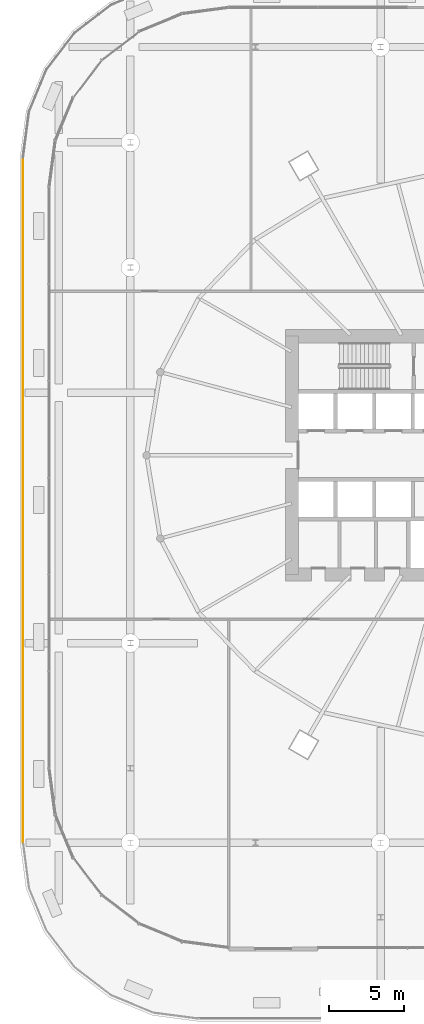
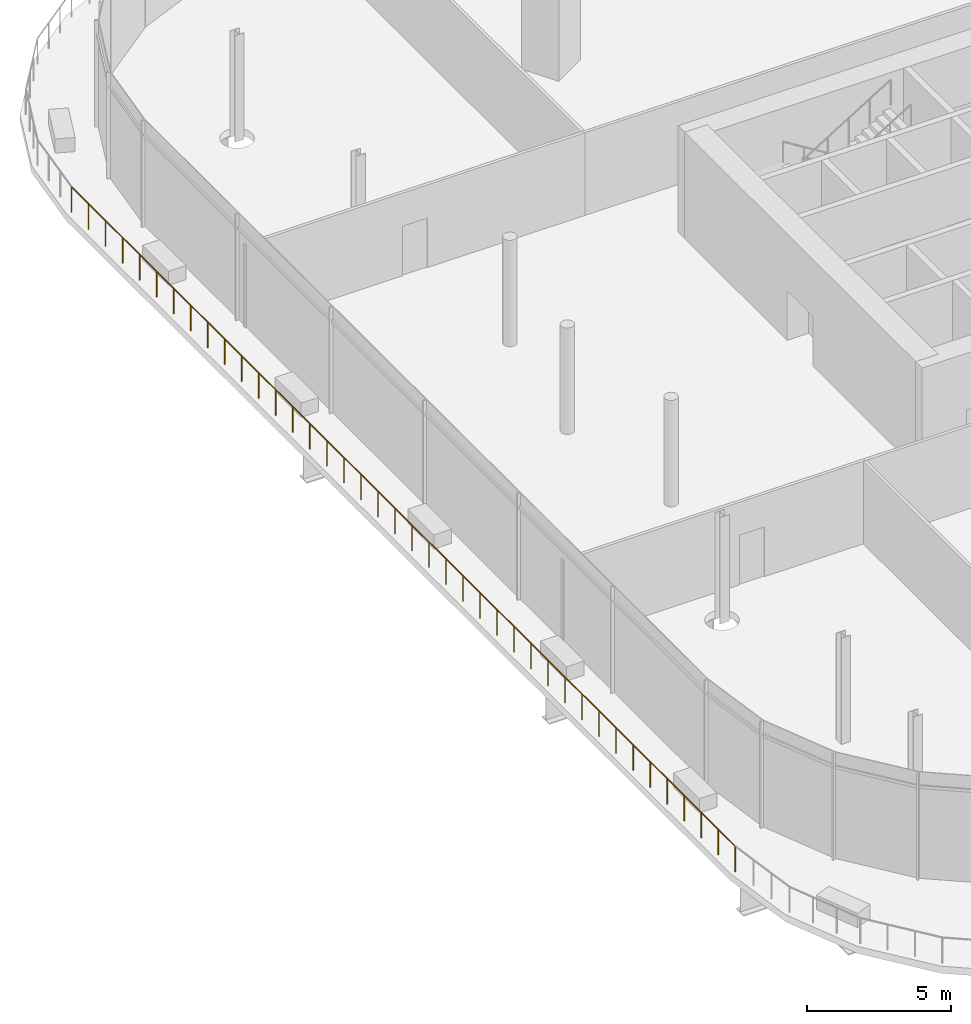
# One storey, part 48 of 56: 1 railing.
"""IFC4 building model written with IfcOpenShell, lengths in metres."""

from ifc_helpers import new_model, si_unit, direction, frame, origin, origin_2d, place, context, subcontext, project, spatial, circle, extrude, material, type_object, element, save


model = new_model("IFC4")

# Units and contexts
model_context = context("Model", 3, precision=1e-05, world=origin(), true_north=direction((0.0, 1.0)))
body_context = subcontext(model_context, "Body", "Model", "MODEL_VIEW")
ifc_project = project(units=[si_unit("LENGTHUNIT", "METRE"), si_unit("AREAUNIT", "SQUARE_METRE"), si_unit("VOLUMEUNIT", "CUBIC_METRE"), si_unit("PLANEANGLEUNIT", "RADIAN"), si_unit("MASSUNIT", "GRAM", prefix="KILO")], contexts=[model_context])

# Site, building, storey
site_placement = place(None, origin())
site = spatial("IfcSite", under=ifc_project, at=site_placement, CompositionType="ELEMENT")
building_placement = place(site_placement, origin())
building = spatial("IfcBuilding", under=site, at=building_placement, Name="Rimbun Link Towers", CompositionType="ELEMENT")
storey_placement = place(building_placement, frame((0.0, 0.0, 16.5)))
storey = spatial("IfcBuildingStorey", under=building, at=storey_placement, Name="L03", CompositionType="ELEMENT", Elevation=16.5)

# Railing
ifc_material = material(Name="Toughened laminated glass, stainless steel grade 316 posts and cap rail", Category="steel")
railing_type = type_object("IfcRailingType", Name="GUARD glass balustrade with stainless cap rail", PredefinedType="BALUSTRADE", material=ifc_material)
railing_placement = place(storey_placement, frame((-61.800048828125, 19.98681640625, 0.0)))
element("IfcRailing", 1, at=railing_placement, inside=storey, type_object=railing_type, Name="GUARD glass balustrade", PredefinedType="BALUSTRADE", context=body_context, shape_type="SweptSolid", body=[
    extrude(circle(Radius=0.02392578125, at=origin_2d()), frame((0.0, 0.0, 1.076171875), z_axis=(0.0, -1.0, 0.0), x_axis=(1.0, 0.0, 0.0)), (0.0, 0.0, 1.0), 45.9736328125),
    extrude(circle(Radius=0.02099609375, at=origin_2d()), origin(), (0.0, 0.0, 1.0), 1.052001953125),
    extrude(circle(Radius=0.02099609375, at=origin_2d()), frame((0.0, -1.1787109375, 0.0)), (0.0, 0.0, 1.0), 1.052001953125),
    extrude(circle(Radius=0.02099609375, at=origin_2d()), frame((0.0, -2.357666015625, 0.0)), (0.0, 0.0, 1.0), 1.052001953125),
    extrude(circle(Radius=0.02099609375, at=origin_2d()), frame((0.0, -3.536376953125, 0.0)), (0.0, 0.0, 1.0), 1.052001953125),
    extrude(circle(Radius=0.02099609375, at=origin_2d()), frame((0.0, -4.71533203125, 0.0)), (0.0, 0.0, 1.0), 1.052001953125),
    extrude(circle(Radius=0.02099609375, at=origin_2d()), frame((0.0, -5.89404296875, 0.0)), (0.0, 0.0, 1.0), 1.052001953125),
    extrude(circle(Radius=0.02099609375, at=origin_2d()), frame((0.0, -7.07275390625, 0.0)), (0.0, 0.0, 1.0), 1.052001953125),
    extrude(circle(Radius=0.02099609375, at=origin_2d()), frame((0.0, -8.251708984375, 0.0)), (0.0, 0.0, 1.0), 1.052001953125),
    extrude(circle(Radius=0.02099609375, at=origin_2d()), frame((0.0, -9.430419921875, 0.0)), (0.0, 0.0, 1.0), 1.052001953125),
    extrude(circle(Radius=0.02099609375, at=origin_2d()), frame((0.0, -10.609375, 0.0)), (0.0, 0.0, 1.0), 1.052001953125),
    extrude(circle(Radius=0.02099609375, at=origin_2d()), frame((0.0, -11.7880859375, 0.0)), (0.0, 0.0, 1.0), 1.052001953125),
    extrude(circle(Radius=0.02099609375, at=origin_2d()), frame((0.0, -12.967041015625, 0.0)), (0.0, 0.0, 1.0), 1.052001953125),
    extrude(circle(Radius=0.02099609375, at=origin_2d()), frame((0.0, -14.145751953125, 0.0)), (0.0, 0.0, 1.0), 1.052001953125),
    extrude(circle(Radius=0.02099609375, at=origin_2d()), frame((0.0, -15.324462890625, 0.0)), (0.0, 0.0, 1.0), 1.052001953125),
    extrude(circle(Radius=0.02099609375, at=origin_2d()), frame((0.0, -16.50341796875, 0.0)), (0.0, 0.0, 1.0), 1.052001953125),
    extrude(circle(Radius=0.02099609375, at=origin_2d()), frame((0.0, -17.68212890625, 0.0)), (0.0, 0.0, 1.0), 1.052001953125),
    extrude(circle(Radius=0.02099609375, at=origin_2d()), frame((0.0, -18.861083984375, 0.0)), (0.0, 0.0, 1.0), 1.052001953125),
    extrude(circle(Radius=0.02099609375, at=origin_2d()), frame((0.0, -20.039794921875, 0.0)), (0.0, 0.0, 1.0), 1.052001953125),
    extrude(circle(Radius=0.02099609375, at=origin_2d()), frame((0.0, -21.218505859375, 0.0)), (0.0, 0.0, 1.0), 1.052001953125),
    extrude(circle(Radius=0.02099609375, at=origin_2d()), frame((0.0, -22.3974609375, 0.0)), (0.0, 0.0, 1.0), 1.052001953125),
    extrude(circle(Radius=0.02099609375, at=origin_2d()), frame((0.0, -23.576171875, 0.0)), (0.0, 0.0, 1.0), 1.052001953125),
    extrude(circle(Radius=0.02099609375, at=origin_2d()), frame((0.0, -24.755126953125, 0.0)), (0.0, 0.0, 1.0), 1.052001953125),
    extrude(circle(Radius=0.02099609375, at=origin_2d()), frame((0.0, -25.933837890625, 0.0)), (0.0, 0.0, 1.0), 1.052001953125),
    extrude(circle(Radius=0.02099609375, at=origin_2d()), frame((0.0, -27.112548828125, 0.0)), (0.0, 0.0, 1.0), 1.052001953125),
    extrude(circle(Radius=0.02099609375, at=origin_2d()), frame((0.0, -28.29150390625, 0.0)), (0.0, 0.0, 1.0), 1.052001953125),
    extrude(circle(Radius=0.02099609375, at=origin_2d()), frame((0.0, -29.47021484375, 0.0)), (0.0, 0.0, 1.0), 1.052001953125),
    extrude(circle(Radius=0.02099609375, at=origin_2d()), frame((0.0, -30.649169921875, 0.0)), (0.0, 0.0, 1.0), 1.052001953125),
    extrude(circle(Radius=0.02099609375, at=origin_2d()), frame((0.0, -31.827880859375, 0.0)), (0.0, 0.0, 1.0), 1.052001953125),
    extrude(circle(Radius=0.02099609375, at=origin_2d()), frame((0.0, -33.006591796875, 0.0)), (0.0, 0.0, 1.0), 1.052001953125),
    extrude(circle(Radius=0.02099609375, at=origin_2d()), frame((0.0, -34.185546875, 0.0)), (0.0, 0.0, 1.0), 1.052001953125),
    extrude(circle(Radius=0.02099609375, at=origin_2d()), frame((0.0, -35.3642578125, 0.0)), (0.0, 0.0, 1.0), 1.052001953125),
    extrude(circle(Radius=0.02099609375, at=origin_2d()), frame((0.0, -36.543212890625, 0.0)), (0.0, 0.0, 1.0), 1.052001953125),
    extrude(circle(Radius=0.02099609375, at=origin_2d()), frame((0.0, -37.721923828125, 0.0)), (0.0, 0.0, 1.0), 1.052001953125),
    extrude(circle(Radius=0.02099609375, at=origin_2d()), frame((0.0, -38.90087890625, 0.0)), (0.0, 0.0, 1.0), 1.052001953125),
    extrude(circle(Radius=0.02099609375, at=origin_2d()), frame((0.0, -40.07958984375, 0.0)), (0.0, 0.0, 1.0), 1.052001953125),
    extrude(circle(Radius=0.02099609375, at=origin_2d()), frame((0.0, -41.25830078125, 0.0)), (0.0, 0.0, 1.0), 1.052001953125),
    extrude(circle(Radius=0.02099609375, at=origin_2d()), frame((0.0, -42.437255859375, 0.0)), (0.0, 0.0, 1.0), 1.052001953125),
    extrude(circle(Radius=0.02099609375, at=origin_2d()), frame((0.0, -43.615966796875, 0.0)), (0.0, 0.0, 1.0), 1.052001953125),
    extrude(circle(Radius=0.02099609375, at=origin_2d()), frame((0.0, -44.794921875, 0.0)), (0.0, 0.0, 1.0), 1.052001953125),
    extrude(circle(Radius=0.02099609375, at=origin_2d()), frame((0.0, -45.9736328125, 0.0)), (0.0, 0.0, 1.0), 1.052001953125),
])

save(model, "model.ifc")
